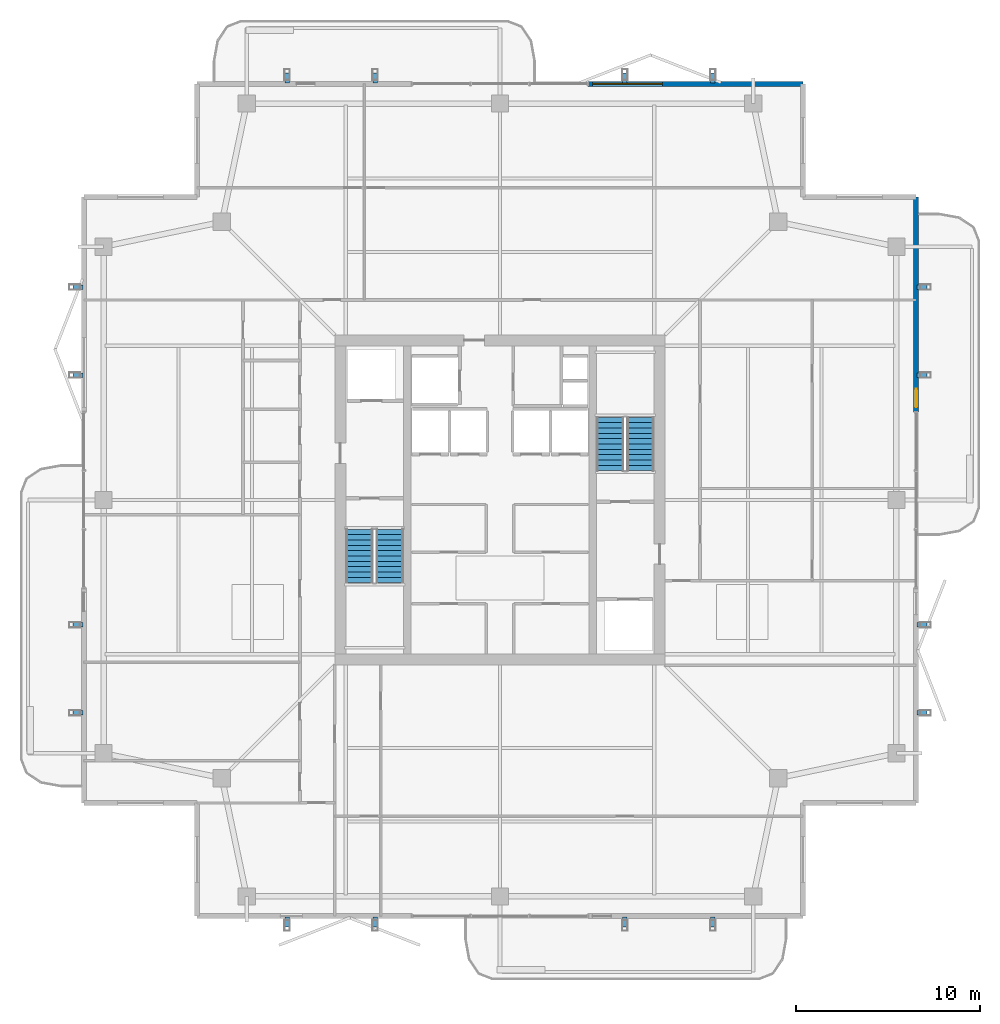
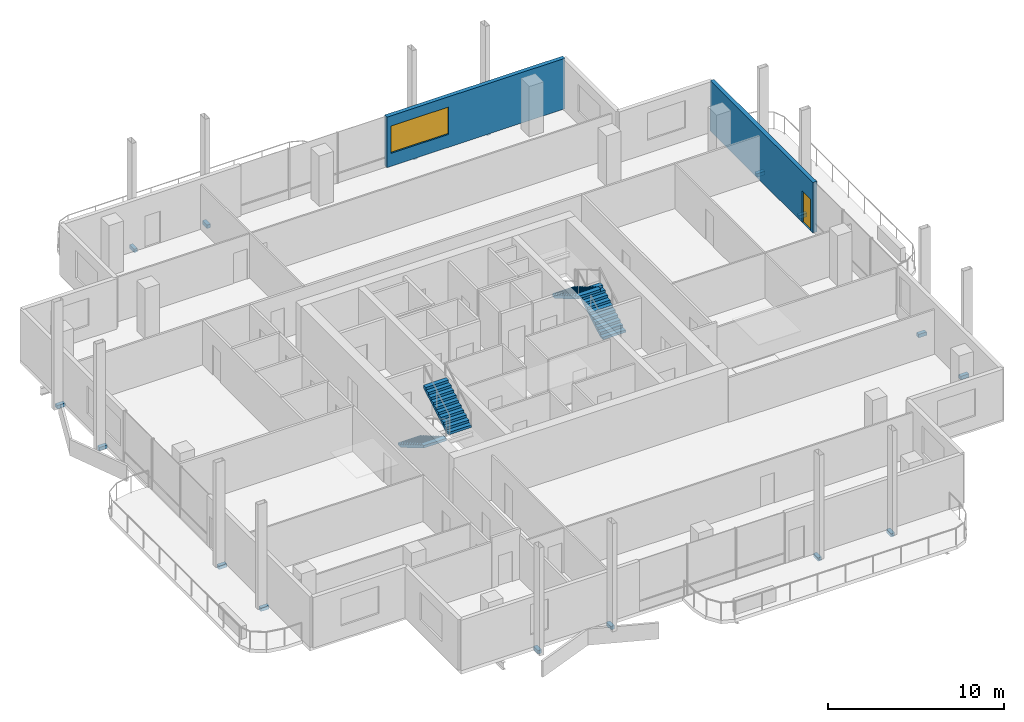
# One storey, part 17 of 20: 16 discrete accessories, 4 stair flights, 2 walls, 1 door, 1 window, 2 openings, 2 elements without a shape of their own.
"""IFC4 building model written with IfcOpenShell, lengths in metres."""

from ifc_helpers import new_model, si_unit, direction, frame, frame_2d, origin, origin_2d, place, context, subcontext, project, spatial, polyline, rectangle, outline, extrude, material, layer, layer_set, type_object, element, fill, aggregate, save


model = new_model("IFC4")

# Units and contexts
model_context = context("Model", 3, precision=1e-05, world=origin(), true_north=direction((0.0, 1.0)))
body_context = subcontext(model_context, "Body", "Model", "MODEL_VIEW")
ifc_project = project(units=[si_unit("LENGTHUNIT", "METRE"), si_unit("AREAUNIT", "SQUARE_METRE"), si_unit("VOLUMEUNIT", "CUBIC_METRE"), si_unit("PLANEANGLEUNIT", "RADIAN"), si_unit("MASSUNIT", "GRAM", prefix="KILO")], contexts=[model_context])

# Site, building, storey
site_placement = place(None, origin())
site = spatial("IfcSite", under=ifc_project, at=site_placement, CompositionType="ELEMENT")
building_placement = place(site_placement, origin())
building = spatial("IfcBuilding", under=site, at=building_placement, Name="Belovzor Exchange Tower", CompositionType="ELEMENT")
storey_placement = place(building_placement, frame((0.0, 0.0, 321.75)))
storey = spatial("IfcBuildingStorey", under=building, at=storey_placement, Name="L80", CompositionType="ELEMENT", Elevation=321.75)

# Wall, opening, window
ifc_material_1 = material(Name="Precast concrete C40/50", Category="concrete")
ifc_layer_1 = layer(ifc_material_1, 0.260009765625)
ifc_layer_set_1 = layer_set([ifc_layer_1], Name="Precast concrete C40/50")
wall_type = type_object("IfcWallType", Name="Precast Concrete Perimeter Loggia Frame Wall 260", PredefinedType="SOLIDWALL", material=ifc_layer_set_1)
wall_1_placement = place(storey_placement, frame((33.60009765625, 51.469970703125, 0.0), z_axis=(0.0, 0.0, 1.0), x_axis=(1.0, 0.0, 0.0)))
wall_1 = element("IfcWall", 1, at=wall_1_placement, inside=storey, type_object=wall_type, Name="W-EXT260 Precast Concrete Perimeter Loggia Frame Wall 260 L80", PredefinedType="SOLIDWALL", context=body_context, shape_type="SweptSolid", body=[
    extrude(rectangle(XDim=11.699951171875, YDim=0.260009765625, at=frame_2d((5.85009765625, 0.0))), origin(), (0.0, 0.0, 1.0), 3.510009765625),
])
opening_1_placement = place(wall_1_placement, frame((0.25, 0.0, 0.89990234375)))
opening_1 = element("IfcOpeningElement", 2, at=opening_1_placement, cuts=wall_1, Name="Opening WN-RIB380", PredefinedType="OPENING", context=body_context, shape_type="SweptSolid", body=[
    extrude(rectangle(XDim=3.800048828125, YDim=1.89990234375, at=frame_2d((1.89990234375, 0.949951171875))), frame((0.0, 0.139892578125, 0.0), z_axis=(0.0, -1.0, 0.0), x_axis=(1.0, 0.0, 0.0)), (0.0, 0.0, 1.0), 0.280029296875),
])
ifc_material_2 = material(Name="Thermally Broken Aluminium and Triple Glazing", Category="aluminium")
window_type = type_object("IfcWindowType", Name="Streamline Moderne Horizontal Ribbon Window 3800x1900", PartitioningType="SINGLE_PANEL", PredefinedType="WINDOW", material=ifc_material_2)
window_placement = place(opening_1_placement, origin())
window = element("IfcWindow", 3, at=window_placement, inside=storey, type_object=window_type, Name="WN-RIB380 Streamline Moderne Horizontal Ribbon Window 3800x1900", OverallHeight=1.89990234375, OverallWidth=3.800048828125, PartitioningType="SINGLE_PANEL", PredefinedType="WINDOW", context=body_context, shape_type="SweptSolid", body=[
    extrude(rectangle(XDim=3.800048828125, YDim=1.89990234375, at=frame_2d((1.89990234375, 0.949951171875))), frame((0.0, 0.030029296875, 0.0), z_axis=(0.0, -1.0, 0.0), x_axis=(1.0, 0.0, 0.0)), (0.0, 0.0, 1.0), 0.06005859375),
])
fill(opening_1, window)

# Wall, opening, door
wall_2_placement = place(storey_placement, frame((51.469970703125, 45.300048828125, 0.0), z_axis=(0.0, 0.0, 1.0), x_axis=(0.0, -1.0, 0.0)))
wall_2 = element("IfcWall", 4, at=wall_2_placement, inside=storey, type_object=wall_type, Name="W-EXT260 Precast Concrete Perimeter Loggia Frame Wall 260 L80", PredefinedType="SOLIDWALL", context=body_context, shape_type="SweptSolid", body=[
    extrude(rectangle(XDim=11.699951171875, YDim=0.260009765625, at=frame_2d((5.85009765625, 0.0))), origin(), (0.0, 0.0, 1.0), 3.510009765625),
])
opening_2_placement = place(wall_2_placement, frame((10.449951171875, 0.0, 0.0)))
opening_2 = element("IfcOpeningElement", 5, at=opening_2_placement, cuts=wall_2, Name="Opening D-BAL100", PredefinedType="OPENING", context=body_context, shape_type="SweptSolid", body=[
    extrude(rectangle(XDim=1.0, YDim=2.199951171875, at=frame_2d((0.5, 1.10009765625))), frame((0.0, 0.139892578125, 0.0), z_axis=(0.0, -1.0, 0.0), x_axis=(1.0, 0.0, 0.0)), (0.0, 0.0, 1.0), 0.280029296875),
])
ifc_material_3 = material(Name="Thermally Broken Anodised Aluminium and Laminated Glass", Category="aluminium")
door_type = type_object("IfcDoorType", Name="Planted Loggia Terrace Glazed Door 1000x2200", OperationType="SINGLE_SWING_LEFT", PredefinedType="DOOR", material=ifc_material_3)
door_placement = place(opening_2_placement, origin())
door = element("IfcDoor", 6, at=door_placement, inside=storey, type_object=door_type, Name="D-BAL100 Balcony Terrace Door L80 E", OperationType="SINGLE_SWING_LEFT", OverallHeight=2.199951171875, OverallWidth=1.0, PredefinedType="DOOR", context=body_context, shape_type="SweptSolid", body=[
    extrude(rectangle(XDim=1.0, YDim=2.199951171875, at=frame_2d((0.5, 1.10009765625))), frame((0.0, 0.02490234375, 0.0), z_axis=(0.0, -1.0, 0.0), x_axis=(1.0, 0.0, 0.0)), (0.0, 0.0, 1.0), 0.050048828125),
])
fill(opening_2, door)

# Stair, stair flights
ifc_material_4 = material(Name="Concrete C40/50", Category="concrete")
stair_type = type_object("IfcStairType", Name="Reinforced Concrete Dogleg Escape Stair 1350", PredefinedType="HALF_TURN_STAIR", material=ifc_material_4)
stair_1_placement = place(storey_placement, origin())
stair_1 = element("IfcStair", 7, at=stair_1_placement, inside=storey, type_object=stair_type, Name="L80 ST-1", PredefinedType="HALF_TURN_STAIR")
ifc_material_5 = material(Name="Concrete C40/50", Category="concrete")
stair_flight_type = type_object("IfcStairFlightType", Name="Reinforced Concrete Stair Flight 1350", PredefinedType="STRAIGHT", material=ifc_material_5)
stair_flight_1_placement = place(storey_placement, frame((21.14990234375, 27.199951171875, 0.0), z_axis=(0.0, 0.0, 1.0), x_axis=(0.0, -1.0, 0.0)))
stair_flight_1 = element("IfcStairFlight", 8, at=stair_flight_1_placement, type_object=stair_flight_type, Name="ST-1 flight 1", NumberOfRisers=11, NumberOfTreads=10, PredefinedType="STRAIGHT", RiserHeight=0.170454545, TreadLength=0.29, context=body_context, shape_type="SweptSolid", body=[
    extrude(outline(polyline([(0.0, 0.0), (0.0, 0.17041015625), (0.2900390625, 0.17041015625), (0.2900390625, 0.3408203125), (0.580078125, 0.3408203125), (0.580078125, 0.511474609375), (0.8701171875, 0.511474609375), (0.8701171875, 0.681884765625), (1.159912109375, 0.681884765625), (1.159912109375, 0.852294921875), (1.449951171875, 0.852294921875), (1.449951171875, 1.022705078125), (1.739990234375, 1.022705078125), (1.739990234375, 1.193115234375), (2.030029296875, 1.193115234375), (2.030029296875, 1.363525390625), (2.320068359375, 1.363525390625), (2.320068359375, 1.5341796875), (2.610107421875, 1.5341796875), (2.610107421875, 1.70458984375), (2.89990234375, 1.70458984375), (2.89990234375, 1.875), (2.89990234375, 1.53076171875), (0.2958984375, 0.0), (0.0, 0.0)])), frame((0.0, 0.75, 0.0), z_axis=(0.0, -1.0, 0.0), x_axis=(1.0, 0.0, 0.0)), (0.0, 0.0, 1.0), 1.5),
])
stair_flight_2_placement = place(storey_placement, frame((22.800048828125, 24.300048828125, 1.875), z_axis=(0.0, 0.0, 1.0), x_axis=(0.0, 1.0, 0.0)))
stair_flight_2 = element("IfcStairFlight", 9, at=stair_flight_2_placement, type_object=stair_flight_type, Name="ST-1 flight 2", NumberOfRisers=11, NumberOfTreads=10, PredefinedType="STRAIGHT", RiserHeight=0.170454545, TreadLength=0.29, context=body_context, shape_type="SweptSolid", body=[
    extrude(outline(polyline([(0.0, 0.0), (0.0, 0.17041015625), (0.2900390625, 0.17041015625), (0.2900390625, 0.3408203125), (0.580078125, 0.3408203125), (0.580078125, 0.511474609375), (0.8701171875, 0.511474609375), (0.8701171875, 0.681884765625), (1.159912109375, 0.681884765625), (1.159912109375, 0.852294921875), (1.449951171875, 0.852294921875), (1.449951171875, 1.022705078125), (1.739990234375, 1.022705078125), (1.739990234375, 1.193115234375), (2.030029296875, 1.193115234375), (2.030029296875, 1.363525390625), (2.320068359375, 1.363525390625), (2.320068359375, 1.5341796875), (2.610107421875, 1.5341796875), (2.610107421875, 1.70458984375), (2.89990234375, 1.70458984375), (2.89990234375, 1.875), (2.89990234375, 1.53076171875), (0.2958984375, 0.0), (0.0, 0.0)])), frame((0.0, 0.75, 0.0), z_axis=(0.0, -1.0, 0.0), x_axis=(1.0, 0.0, 0.0)), (0.0, 0.0, 1.0), 1.5),
])
aggregate(stair_1, [stair_flight_1, stair_flight_2])

stair_2_placement = place(storey_placement, origin())
stair_2 = element("IfcStair", 10, at=stair_2_placement, inside=storey, type_object=stair_type, Name="L80 ST-2", PredefinedType="HALF_TURN_STAIR")
stair_flight_3_placement = place(storey_placement, frame((36.449951171875, 30.39990234375, 0.0), z_axis=(0.0, 0.0, 1.0), x_axis=(0.0, 1.0, 0.0)))
stair_flight_3 = element("IfcStairFlight", 11, at=stair_flight_3_placement, type_object=stair_flight_type, Name="ST-2 flight 1", NumberOfRisers=11, NumberOfTreads=10, PredefinedType="STRAIGHT", RiserHeight=0.170454545, TreadLength=0.29, context=body_context, shape_type="SweptSolid", body=[
    extrude(outline(polyline([(0.0, 0.0), (0.0, 0.17041015625), (0.2900390625, 0.17041015625), (0.2900390625, 0.3408203125), (0.580078125, 0.3408203125), (0.580078125, 0.511474609375), (0.8701171875, 0.511474609375), (0.8701171875, 0.681884765625), (1.159912109375, 0.681884765625), (1.159912109375, 0.852294921875), (1.449951171875, 0.852294921875), (1.449951171875, 1.022705078125), (1.739990234375, 1.022705078125), (1.739990234375, 1.193115234375), (2.030029296875, 1.193115234375), (2.030029296875, 1.363525390625), (2.320068359375, 1.363525390625), (2.320068359375, 1.5341796875), (2.610107421875, 1.5341796875), (2.610107421875, 1.70458984375), (2.89990234375, 1.70458984375), (2.89990234375, 1.875), (2.89990234375, 1.53076171875), (0.2958984375, 0.0), (0.0, 0.0)])), frame((0.0, 0.75, 0.0), z_axis=(0.0, -1.0, 0.0), x_axis=(1.0, 0.0, 0.0)), (0.0, 0.0, 1.0), 1.5),
])
stair_flight_4_placement = place(storey_placement, frame((34.800048828125, 33.300048828125, 1.875), z_axis=(0.0, 0.0, 1.0), x_axis=(0.0, -1.0, 0.0)))
stair_flight_4 = element("IfcStairFlight", 12, at=stair_flight_4_placement, type_object=stair_flight_type, Name="ST-2 flight 2", NumberOfRisers=11, NumberOfTreads=10, PredefinedType="STRAIGHT", RiserHeight=0.170454545, TreadLength=0.29, context=body_context, shape_type="SweptSolid", body=[
    extrude(outline(polyline([(0.0, 0.0), (0.0, 0.17041015625), (0.2900390625, 0.17041015625), (0.2900390625, 0.3408203125), (0.580078125, 0.3408203125), (0.580078125, 0.511474609375), (0.8701171875, 0.511474609375), (0.8701171875, 0.681884765625), (1.159912109375, 0.681884765625), (1.159912109375, 0.852294921875), (1.449951171875, 0.852294921875), (1.449951171875, 1.022705078125), (1.739990234375, 1.022705078125), (1.739990234375, 1.193115234375), (2.030029296875, 1.193115234375), (2.030029296875, 1.363525390625), (2.320068359375, 1.363525390625), (2.320068359375, 1.5341796875), (2.610107421875, 1.5341796875), (2.610107421875, 1.70458984375), (2.89990234375, 1.70458984375), (2.89990234375, 1.875), (2.89990234375, 1.53076171875), (0.2958984375, 0.0), (0.0, 0.0)])), frame((0.0, 0.75, 0.0), z_axis=(0.0, -1.0, 0.0), x_axis=(1.0, 0.0, 0.0)), (0.0, 0.0, 1.0), 1.5),
])
aggregate(stair_2, [stair_flight_3, stair_flight_4])

# Discrete accessories
ifc_material_6 = material(Name="Stainless Steel Grade 316", Category="steel")
ifc_layer_2 = layer(ifc_material_6, 0.179931640625)
ifc_layer_set_2 = layer_set([ifc_layer_2], Name="Stainless Steel Grade 316")
discrete_accessory_type = type_object("IfcDiscreteAccessoryType", Name="Stainless Steel Facade Outrigger Fixing Bracket", PredefinedType="BRACKET", material=ifc_layer_set_2)
for number, where, z_axis, x_axis, name in (
    (13, (17.199951171875, 5.81201171875, -0.240234375), (0.0, 0.0, 1.0), (0.0, 1.0, 0.0), "BRK-FIN1 Sweeping Fin Outrigger Bracket L80 S1"),
    (14, (17.199951171875, 51.7880859375, -0.240234375), (0.0, 0.0, 1.0), (0.0, 1.0, 0.0), "BRK-FIN1 Sweeping Fin Outrigger Bracket L80 N1"),
    (15, (5.81201171875, 17.199951171875, -0.240234375), (0.0, 0.0, 1.0), (1.0, 0.0, 0.0), "BRK-FIN1 Sweeping Fin Outrigger Bracket L80 W1"),
    (16, (51.7880859375, 17.199951171875, -0.240234375), (0.0, 0.0, 1.0), (1.0, 0.0, 0.0), "BRK-FIN1 Sweeping Fin Outrigger Bracket L80 E1"),
    (17, (22.0, 5.81201171875, -0.240234375), (0.0, 0.0, 1.0), (0.0, 1.0, 0.0), "BRK-FIN1 Sweeping Fin Outrigger Bracket L80 S2"),
    (18, (22.0, 51.7880859375, -0.240234375), (0.0, 0.0, 1.0), (0.0, 1.0, 0.0), "BRK-FIN1 Sweeping Fin Outrigger Bracket L80 N2"),
    (19, (5.81201171875, 22.0, -0.240234375), (0.0, 0.0, 1.0), (1.0, 0.0, 0.0), "BRK-FIN1 Sweeping Fin Outrigger Bracket L80 W2"),
    (20, (51.7880859375, 22.0, -0.240234375), (0.0, 0.0, 1.0), (1.0, 0.0, 0.0), "BRK-FIN1 Sweeping Fin Outrigger Bracket L80 E2"),
    (21, (35.60009765625, 5.81201171875, -0.240234375), (0.0, 0.0, 1.0), (0.0, 1.0, 0.0), "BRK-FIN1 Sweeping Fin Outrigger Bracket L80 S3"),
    (22, (35.60009765625, 51.7880859375, -0.240234375), (0.0, 0.0, 1.0), (0.0, 1.0, 0.0), "BRK-FIN1 Sweeping Fin Outrigger Bracket L80 N3"),
    (23, (5.81201171875, 35.60009765625, -0.240234375), (0.0, 0.0, 1.0), (1.0, 0.0, 0.0), "BRK-FIN1 Sweeping Fin Outrigger Bracket L80 W3"),
    (24, (51.7880859375, 35.60009765625, -0.240234375), (0.0, 0.0, 1.0), (1.0, 0.0, 0.0), "BRK-FIN1 Sweeping Fin Outrigger Bracket L80 E3"),
    (25, (40.39990234375, 5.81201171875, -0.240234375), (0.0, 0.0, 1.0), (0.0, 1.0, 0.0), "BRK-FIN1 Sweeping Fin Outrigger Bracket L80 S4"),
    (26, (40.39990234375, 51.7880859375, -0.240234375), (0.0, 0.0, 1.0), (0.0, 1.0, 0.0), "BRK-FIN1 Sweeping Fin Outrigger Bracket L80 N4"),
    (27, (5.81201171875, 40.39990234375, -0.240234375), (0.0, 0.0, 1.0), (1.0, 0.0, 0.0), "BRK-FIN1 Sweeping Fin Outrigger Bracket L80 W4"),
    (28, (51.7880859375, 40.39990234375, -0.240234375), (0.0, 0.0, 1.0), (1.0, 0.0, 0.0), "BRK-FIN1 Sweeping Fin Outrigger Bracket L80 E4"),
):
    element("IfcDiscreteAccessory", number, at=place(storey_placement, frame(where, z_axis=z_axis, x_axis=x_axis)), inside=storey, type_object=discrete_accessory_type, Name=name, PredefinedType="BRACKET", context=body_context, shape_type="SweptSolid", body=[
        extrude(rectangle(XDim=0.534912109375, YDim=0.239990234375, at=origin_2d()), origin(), (0.0, 0.0, 1.0), 0.239990234375),
    ])

save(model, "model.ifc")
